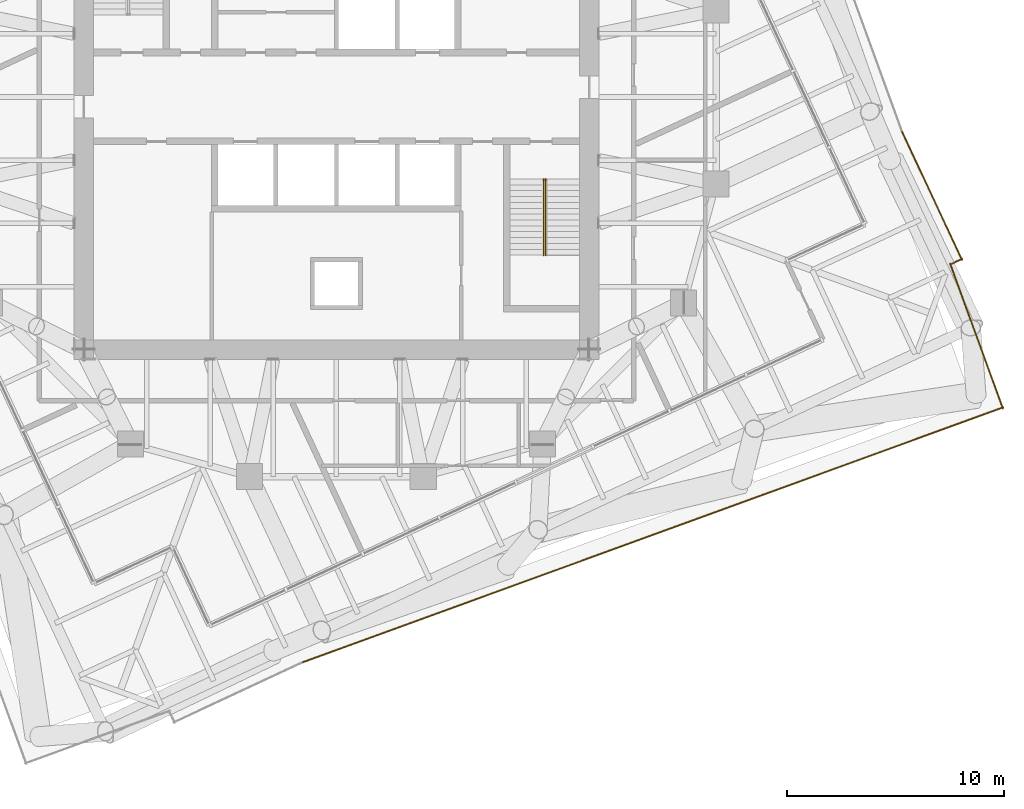
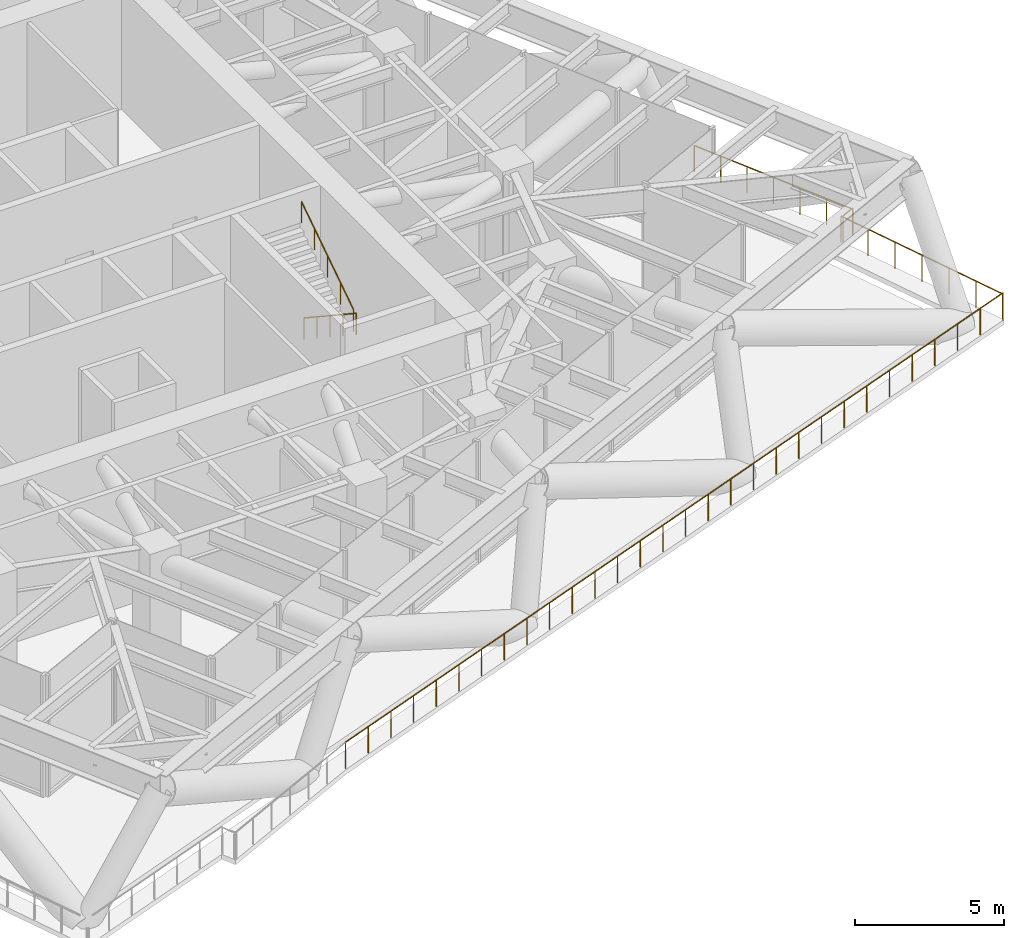
# One storey, part 14 of 16: 6 railings, 1 element without a shape of its own.
"""IFC4 building model written with IfcOpenShell, lengths in metres."""

from ifc_helpers import new_model, si_unit, direction, frame, origin, origin_2d, place, context, subcontext, project, spatial, circle, extrude, material, type_object, element, aggregate, save


model = new_model("IFC4")

# Units and contexts
model_context = context("Model", 3, precision=1e-05, world=origin(), true_north=direction((0.0, 1.0)))
body_context = subcontext(model_context, "Body", "Model", "MODEL_VIEW")
ifc_project = project(units=[si_unit("LENGTHUNIT", "METRE"), si_unit("AREAUNIT", "SQUARE_METRE"), si_unit("VOLUMEUNIT", "CUBIC_METRE"), si_unit("PLANEANGLEUNIT", "RADIAN"), si_unit("MASSUNIT", "GRAM", prefix="KILO")], contexts=[model_context])

# Site, building, storey
site_placement = place(None, origin())
site = spatial("IfcSite", under=ifc_project, at=site_placement, CompositionType="ELEMENT")
building_placement = place(site_placement, origin())
building = spatial("IfcBuilding", under=site, at=building_placement, Name="Torsade Residences", CompositionType="ELEMENT")
storey_placement = place(building_placement, frame((0.0, 0.0, 171.0)))
storey = spatial("IfcBuildingStorey", under=building, at=storey_placement, Name="L47", CompositionType="ELEMENT", Elevation=171.0)

# Railings
ifc_material_1 = material(Name="Galvanised steel guard rail", Category="steel")
railing_type_1 = type_object("IfcRailingType", Name="ROOF EDGE GUARD 1100", PredefinedType="GUARDRAIL", material=ifc_material_1)
railing_1_placement = place(storey_placement, frame((38.394287109375, 3.928466796875, 0.0)))
element("IfcRailing", 1, at=railing_1_placement, inside=storey, type_object=railing_type_1, Name="Roof edge guard L47 3", PredefinedType="GUARDRAIL", context=body_context, shape_type="SweptSolid", body=[
    extrude(circle(Radius=0.02392578125, at=origin_2d()), frame((0.0, 0.0, 1.076171875), z_axis=(0.939691508323, 0.342023199778, 0.0), x_axis=(-0.342023199778, 0.939691508323, 0.0)), (0.0, 0.0, 1.0), 34.42578125),
    extrude(circle(Radius=0.02099609375, at=origin_2d()), origin(), (0.0, 0.0, 1.0), 1.052001953125),
    extrude(circle(Radius=0.02099609375, at=origin_2d()), frame((1.115478515625, 0.406005859375, 0.0)), (0.0, 0.0, 1.0), 1.052001953125),
    extrude(circle(Radius=0.02099609375, at=origin_2d()), frame((2.23095703125, 0.81201171875, 0.0)), (0.0, 0.0, 1.0), 1.052001953125),
    extrude(circle(Radius=0.02099609375, at=origin_2d()), frame((3.346435546875, 1.218017578125, 0.0)), (0.0, 0.0, 1.0), 1.052001953125),
    extrude(circle(Radius=0.02099609375, at=origin_2d()), frame((4.4619140625, 1.6240234375, 0.0)), (0.0, 0.0, 1.0), 1.052001953125),
    extrude(circle(Radius=0.02099609375, at=origin_2d()), frame((5.57763671875, 2.030029296875, 0.0)), (0.0, 0.0, 1.0), 1.052001953125),
    extrude(circle(Radius=0.02099609375, at=origin_2d()), frame((6.693115234375, 2.43603515625, 0.0)), (0.0, 0.0, 1.0), 1.052001953125),
    extrude(circle(Radius=0.02099609375, at=origin_2d()), frame((7.80859375, 2.842041015625, 0.0)), (0.0, 0.0, 1.0), 1.052001953125),
    extrude(circle(Radius=0.02099609375, at=origin_2d()), frame((8.924072265625, 3.248046875, 0.0)), (0.0, 0.0, 1.0), 1.052001953125),
    extrude(circle(Radius=0.02099609375, at=origin_2d()), frame((10.03955078125, 3.654052734375, 0.0)), (0.0, 0.0, 1.0), 1.052001953125),
    extrude(circle(Radius=0.02099609375, at=origin_2d()), frame((11.155029296875, 4.06005859375, 0.0)), (0.0, 0.0, 1.0), 1.052001953125),
    extrude(circle(Radius=0.02099609375, at=origin_2d()), frame((12.2705078125, 4.466064453125, 0.0)), (0.0, 0.0, 1.0), 1.052001953125),
    extrude(circle(Radius=0.02099609375, at=origin_2d()), frame((13.385986328125, 4.8720703125, 0.0)), (0.0, 0.0, 1.0), 1.052001953125),
    extrude(circle(Radius=0.02099609375, at=origin_2d()), frame((14.50146484375, 5.278076171875, 0.0)), (0.0, 0.0, 1.0), 1.052001953125),
    extrude(circle(Radius=0.02099609375, at=origin_2d()), frame((15.616943359375, 5.68408203125, 0.0)), (0.0, 0.0, 1.0), 1.052001953125),
    extrude(circle(Radius=0.02099609375, at=origin_2d()), frame((16.732666015625, 6.09033203125, 0.0)), (0.0, 0.0, 1.0), 1.052001953125),
    extrude(circle(Radius=0.02099609375, at=origin_2d()), frame((17.84814453125, 6.496337890625, 0.0)), (0.0, 0.0, 1.0), 1.052001953125),
    extrude(circle(Radius=0.02099609375, at=origin_2d()), frame((18.963623046875, 6.90234375, 0.0)), (0.0, 0.0, 1.0), 1.052001953125),
    extrude(circle(Radius=0.02099609375, at=origin_2d()), frame((20.0791015625, 7.308349609375, 0.0)), (0.0, 0.0, 1.0), 1.052001953125),
    extrude(circle(Radius=0.02099609375, at=origin_2d()), frame((21.194580078125, 7.71435546875, 0.0)), (0.0, 0.0, 1.0), 1.052001953125),
    extrude(circle(Radius=0.02099609375, at=origin_2d()), frame((22.31005859375, 8.120361328125, 0.0)), (0.0, 0.0, 1.0), 1.052001953125),
    extrude(circle(Radius=0.02099609375, at=origin_2d()), frame((23.425537109375, 8.5263671875, 0.0)), (0.0, 0.0, 1.0), 1.052001953125),
    extrude(circle(Radius=0.02099609375, at=origin_2d()), frame((24.541015625, 8.932373046875, 0.0)), (0.0, 0.0, 1.0), 1.052001953125),
    extrude(circle(Radius=0.02099609375, at=origin_2d()), frame((25.656494140625, 9.33837890625, 0.0)), (0.0, 0.0, 1.0), 1.052001953125),
    extrude(circle(Radius=0.02099609375, at=origin_2d()), frame((26.77197265625, 9.744384765625, 0.0)), (0.0, 0.0, 1.0), 1.052001953125),
    extrude(circle(Radius=0.02099609375, at=origin_2d()), frame((27.8876953125, 10.150390625, 0.0)), (0.0, 0.0, 1.0), 1.052001953125),
    extrude(circle(Radius=0.02099609375, at=origin_2d()), frame((29.003173828125, 10.556396484375, 0.0)), (0.0, 0.0, 1.0), 1.052001953125),
    extrude(circle(Radius=0.02099609375, at=origin_2d()), frame((30.11865234375, 10.96240234375, 0.0)), (0.0, 0.0, 1.0), 1.052001953125),
    extrude(circle(Radius=0.02099609375, at=origin_2d()), frame((31.234130859375, 11.368408203125, 0.0)), (0.0, 0.0, 1.0), 1.052001953125),
    extrude(circle(Radius=0.02099609375, at=origin_2d()), frame((32.349609375, 11.7744140625, 0.0)), (0.0, 0.0, 1.0), 1.052001953125),
])
railing_2_placement = place(storey_placement, frame((70.714111328125, 15.638671875, 0.0)))
element("IfcRailing", 2, at=railing_2_placement, inside=storey, type_object=railing_type_1, Name="Roof edge guard L47 4", PredefinedType="GUARDRAIL", context=body_context, shape_type="SweptSolid", body=[
    extrude(circle(Radius=0.02392578125, at=origin_2d()), frame((0.0, 0.0, 1.076171875), z_axis=(-0.342026671864, 0.939690244567, 0.0), x_axis=(-0.939690244567, -0.342026671864, 0.0)), (0.0, 0.0, 1.0), 7.118896484375),
    extrude(circle(Radius=0.02099609375, at=origin_2d()), origin(), (0.0, 0.0, 1.0), 1.052001953125),
    extrude(circle(Radius=0.02099609375, at=origin_2d()), frame((-0.40576171875, 1.114990234375, 0.0)), (0.0, 0.0, 1.0), 1.052001953125),
    extrude(circle(Radius=0.02099609375, at=origin_2d()), frame((-0.8115234375, 2.229736328125, 0.0)), (0.0, 0.0, 1.0), 1.052001953125),
    extrude(circle(Radius=0.02099609375, at=origin_2d()), frame((-1.21728515625, 3.3447265625, 0.0)), (0.0, 0.0, 1.0), 1.052001953125),
    extrude(circle(Radius=0.02099609375, at=origin_2d()), frame((-1.623291015625, 4.459716796875, 0.0)), (0.0, 0.0, 1.0), 1.052001953125),
    extrude(circle(Radius=0.02099609375, at=origin_2d()), frame((-2.029052734375, 5.574462890625, 0.0)), (0.0, 0.0, 1.0), 1.052001953125),
    extrude(circle(Radius=0.02099609375, at=origin_2d()), frame((-2.434814453125, 6.689453125, 0.0)), (0.0, 0.0, 1.0), 1.052001953125),
])
railing_3_placement = place(storey_placement, frame((68.336669921875, 22.304443359375, 0.0)))
element("IfcRailing", 3, at=railing_3_placement, inside=storey, type_object=railing_type_1, Name="Roof edge guard L47 5", PredefinedType="GUARDRAIL", context=body_context, shape_type="SweptSolid", body=[
    extrude(circle(Radius=0.02392578125, at=origin_2d()), frame((0.0, 0.0, 1.076171875), z_axis=(0.90624871646, 0.422744915894, 0.0), x_axis=(-0.422744915894, 0.90624871646, 0.0)), (0.0, 0.0, 1.0), 0.570556640625),
    extrude(circle(Radius=0.02099609375, at=origin_2d()), origin(), (0.0, 0.0, 1.0), 1.052001953125),
    extrude(circle(Radius=0.02099609375, at=origin_2d()), frame((0.51708984375, 0.2412109375, 0.0)), (0.0, 0.0, 1.0), 1.052001953125),
])
railing_4_placement = place(storey_placement, frame((68.82958984375, 22.479248046875, 0.0)))
element("IfcRailing", 4, at=railing_4_placement, inside=storey, type_object=railing_type_1, Name="Roof edge guard L47 6", PredefinedType="GUARDRAIL", context=body_context, shape_type="SweptSolid", body=[
    extrude(circle(Radius=0.02392578125, at=origin_2d()), frame((0.0, 0.0, 1.076171875), z_axis=(-0.422627419888, 0.906303516466, 0.0), x_axis=(-0.906303516466, -0.422627419888, 0.0)), (0.0, 0.0, 1.0), 6.526611328125),
    extrude(circle(Radius=0.02099609375, at=origin_2d()), origin(), (0.0, 0.0, 1.0), 1.052001953125),
    extrude(circle(Radius=0.02099609375, at=origin_2d()), frame((-0.459716796875, 0.98583984375, 0.0)), (0.0, 0.0, 1.0), 1.052001953125),
    extrude(circle(Radius=0.02099609375, at=origin_2d()), frame((-0.91943359375, 1.9716796875, 0.0)), (0.0, 0.0, 1.0), 1.052001953125),
    extrude(circle(Radius=0.02099609375, at=origin_2d()), frame((-1.379150390625, 2.95751953125, 0.0)), (0.0, 0.0, 1.0), 1.052001953125),
    extrude(circle(Radius=0.02099609375, at=origin_2d()), frame((-1.8388671875, 3.943359375, 0.0)), (0.0, 0.0, 1.0), 1.052001953125),
    extrude(circle(Radius=0.02099609375, at=origin_2d()), frame((-2.298583984375, 4.92919921875, 0.0)), (0.0, 0.0, 1.0), 1.052001953125),
    extrude(circle(Radius=0.02099609375, at=origin_2d()), frame((-2.75830078125, 5.9150390625, 0.0)), (0.0, 0.0, 1.0), 1.052001953125),
])

# Stair, railings
ifc_material_2 = material(Name="Precast concrete 40 MPa", Category="concrete")
stair_type = type_object("IfcStairType", Name="HALF-TURN FIRE STAIR 1500x5000", PredefinedType="HALF_TURN_STAIR", material=ifc_material_2)
stair_placement = place(storey_placement, origin())
stair = element("IfcStair", 5, at=stair_placement, inside=storey, type_object=stair_type, Name="Stair ST2 L47", PredefinedType="HALF_TURN_STAIR")
ifc_material_3 = material(Name="Steel handrail", Category="steel")
railing_type_2 = type_object("IfcRailingType", Name="STAIR HANDRAIL 900", PredefinedType="HANDRAIL", material=ifc_material_3)
railing_5_placement = place(storey_placement, frame((49.64990234375, 26.219970703125, 0.178466796875)))
railing_5 = element("IfcRailing", 6, at=railing_5_placement, type_object=railing_type_2, Name="Handrail ST2 flight 1 L47", PredefinedType="HANDRAIL", context=body_context, shape_type="SweptSolid", body=[
    extrude(circle(Radius=0.02392578125, at=origin_2d()), frame((0.0, 0.0, 0.8759765625), z_axis=(0.0, -0.834070780157, 0.551657442339), x_axis=(1.0, 0.0, 0.0)), (0.0, 0.0, 1.0), 4.208251953125),
    extrude(circle(Radius=0.02099609375, at=origin_2d()), origin(), (0.0, 0.0, 1.0), 0.851806640625),
    extrude(circle(Radius=0.02099609375, at=origin_2d()), frame((0.0, -0.87744140625, 0.580322265625)), (0.0, 0.0, 1.0), 0.851806640625),
    extrude(circle(Radius=0.02099609375, at=origin_2d()), frame((0.0, -1.7548828125, 1.16064453125)), (0.0, 0.0, 1.0), 0.851806640625),
    extrude(circle(Radius=0.02099609375, at=origin_2d()), frame((0.0, -2.632568359375, 1.7412109375)), (0.0, 0.0, 1.0), 0.851806640625),
    extrude(circle(Radius=0.02099609375, at=origin_2d()), frame((0.0, -3.510009765625, 2.321533203125)), (0.0, 0.0, 1.0), 0.851806640625),
])
railing_6_placement = place(storey_placement, frame((49.550048828125, 22.7099609375, 2.678466796875)))
railing_6 = element("IfcRailing", 7, at=railing_6_placement, type_object=railing_type_2, Name="Handrail ST2 flight 2 L47", PredefinedType="HANDRAIL", context=body_context, shape_type="SweptSolid", body=[
    extrude(circle(Radius=0.02392578125, at=origin_2d()), frame((0.0, 0.0, 0.8759765625), z_axis=(0.0, 0.834070780157, 0.551657442339), x_axis=(-1.0, 0.0, 0.0)), (0.0, 0.0, 1.0), 4.208251953125),
    extrude(circle(Radius=0.02099609375, at=origin_2d()), origin(), (0.0, 0.0, 1.0), 0.851806640625),
    extrude(circle(Radius=0.02099609375, at=origin_2d()), frame((0.0, 0.87744140625, 0.580322265625)), (0.0, 0.0, 1.0), 0.851806640625),
    extrude(circle(Radius=0.02099609375, at=origin_2d()), frame((0.0, 1.7548828125, 1.16064453125)), (0.0, 0.0, 1.0), 0.851806640625),
    extrude(circle(Radius=0.02099609375, at=origin_2d()), frame((0.0, 2.632568359375, 1.7412109375)), (0.0, 0.0, 1.0), 0.851806640625),
    extrude(circle(Radius=0.02099609375, at=origin_2d()), frame((0.0, 3.510009765625, 2.321533203125)), (0.0, 0.0, 1.0), 0.851806640625),
])
aggregate(stair, [railing_5, railing_6])

save(model, "model.ifc")
